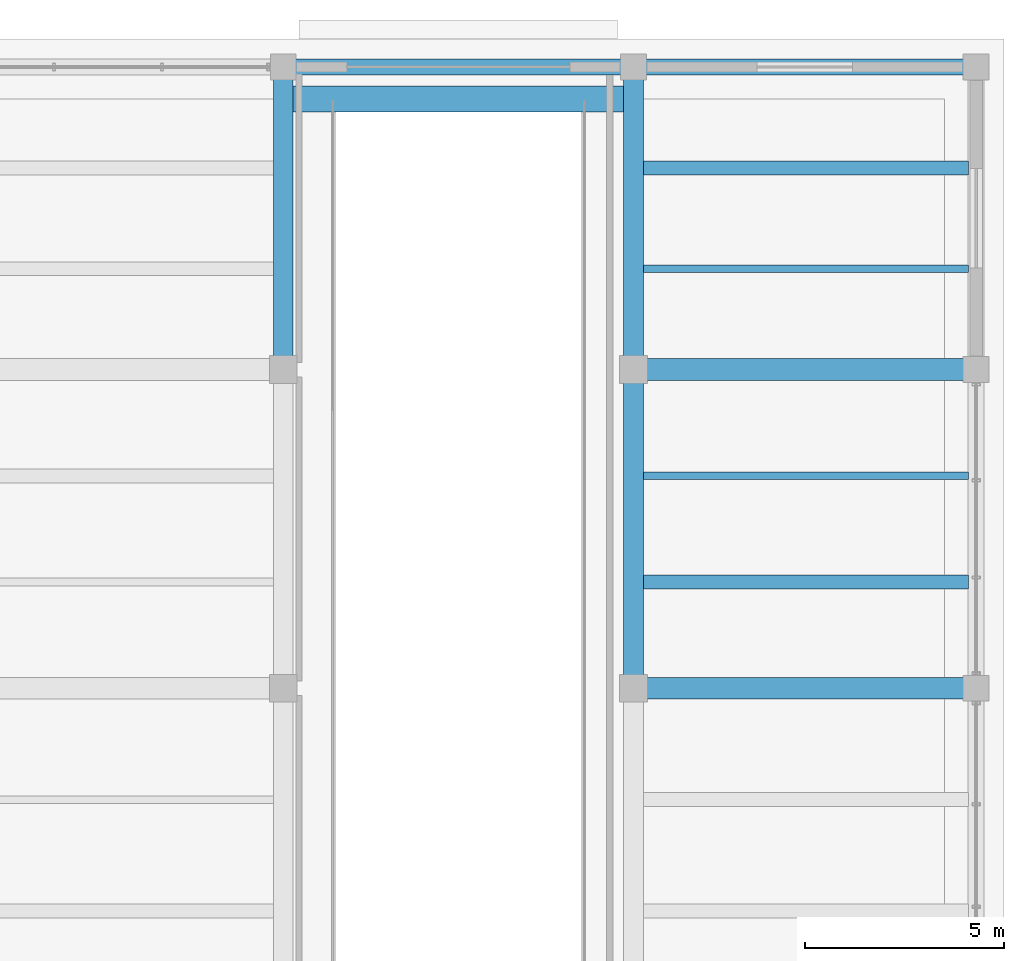
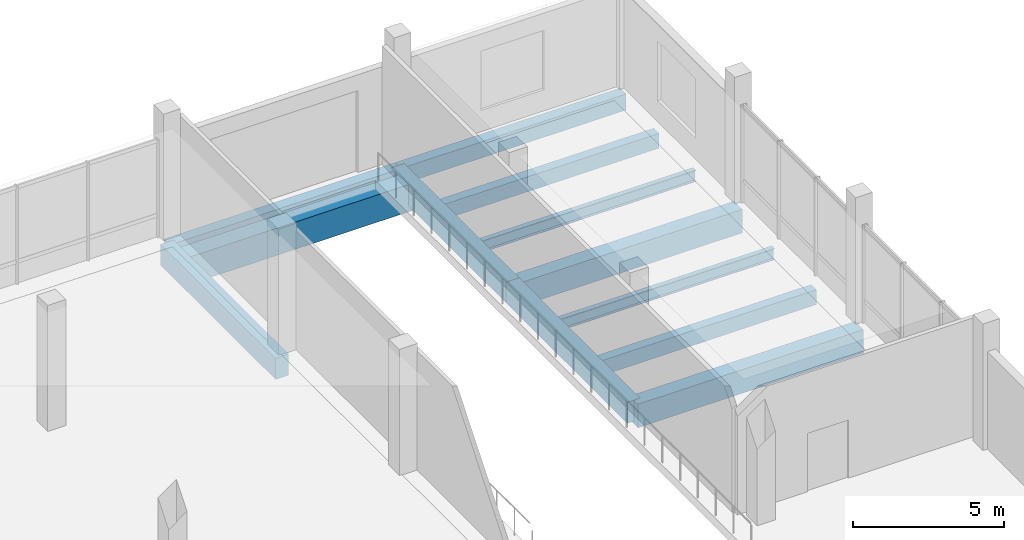
# One storey, part 52 of 73: 12 beams.
"""IFC4 building model written with IfcOpenShell, lengths in metres."""

from ifc_helpers import new_model, si_unit, direction, frame, origin, origin_2d, place, context, subcontext, project, spatial, rectangle, i_section, extrude, material, material_profile, profile_set, type_object, element, save


model = new_model("IFC4")

# Units and contexts
model_context = context("Model", 3, precision=1e-05, world=origin(), true_north=direction((0.0, 1.0)))
body_context = subcontext(model_context, "Body", "Model", "MODEL_VIEW")
ifc_project = project(units=[si_unit("LENGTHUNIT", "METRE"), si_unit("AREAUNIT", "SQUARE_METRE"), si_unit("VOLUMEUNIT", "CUBIC_METRE"), si_unit("PLANEANGLEUNIT", "RADIAN"), si_unit("MASSUNIT", "GRAM", prefix="KILO")], contexts=[model_context])

# Site, building, storey
site_placement = place(None, origin())
site = spatial("IfcSite", under=ifc_project, at=site_placement, CompositionType="ELEMENT")
building_placement = place(site_placement, origin())
building = spatial("IfcBuilding", under=site, at=building_placement, Name="Meriwether Solvik Hall", CompositionType="ELEMENT")
storey_placement = place(building_placement, origin())
storey = spatial("IfcBuildingStorey", under=building, at=storey_placement, Name="L00", CompositionType="ELEMENT", Elevation=0.0)

# Beams
ifc_material_1 = material(Name="Concrete C40/50", Category="concrete")
ifc_material_profile_1 = material_profile(ifc_material_1, rectangle(XDim=0.35009765625, YDim=0.60009765625, at=origin_2d()), Name="RCB-350X600")
ifc_profile_set_1 = profile_set([ifc_material_profile_1], Name="Concrete C40/50")
beam_type_1 = type_object("IfcBeamType", Name="BM-RC-350X600", PredefinedType="JOIST", material=ifc_profile_set_1)
for number, where, z_axis, x_axis, name in (
    (1, (158.445068359375, 103.86669921875, -0.659912109375), (1.0, 0.0, 0.0), (0.0, 1.0, 0.0), "Secondary Floor Joist 18/L_J1 (L00)"),
    (2, (158.445068359375, 114.2666015625, -0.659912109375), (1.0, 0.0, 0.0), (0.0, 1.0, 0.0), "Secondary Floor Joist 18/M_J2 (L00)"),
):
    element("IfcBeam", number, at=place(storey_placement, frame(where, z_axis=z_axis, x_axis=x_axis)), inside=storey, type_object=beam_type_1, Name=name, PredefinedType="JOIST", context=body_context, shape_type="SweptSolid", body=[
        extrude(rectangle(XDim=0.35009765625, YDim=0.60009765625, at=origin_2d()), origin(), (0.0, 0.0, 1.0), 8.159912109375),
    ])
ifc_material_2 = material(Name="Concrete C40/50", Category="concrete")
ifc_material_profile_2 = material_profile(ifc_material_2, rectangle(XDim=0.39990234375, YDim=0.64990234375, at=origin_2d()), Name="RCB-400X650")
ifc_profile_set_2 = profile_set([ifc_material_profile_2], Name="Concrete C40/50")
beam_type_2 = type_object("IfcBeamType", Name="BM-RC-400X650", PredefinedType="SPANDREL", material=ifc_profile_set_2)
beam_1_placement = place(storey_placement, frame((149.39990234375, 116.800048828125, -0.68505859375), z_axis=(1.0, 0.0, 0.0), x_axis=(0.0, 1.0, 0.0)))
element("IfcBeam", 3, at=beam_1_placement, inside=storey, type_object=beam_type_2, Name="Podium Girder N:17-18 (L00)", PredefinedType="SPANDREL", context=body_context, shape_type="SweptSolid", body=[
    extrude(rectangle(XDim=0.39990234375, YDim=0.64990234375, at=origin_2d()), origin(), (0.0, 0.0, 1.0), 8.800048828125),
])
beam_2_placement = place(storey_placement, frame((158.199951171875, 116.800048828125, -0.68505859375), z_axis=(1.0, 0.0, 0.0), x_axis=(0.0, 1.0, 0.0)))
element("IfcBeam", 4, at=beam_2_placement, inside=storey, type_object=beam_type_2, Name="Podium Girder N:18-19 (L00)", PredefinedType="SPANDREL", context=body_context, shape_type="SweptSolid", body=[
    extrude(rectangle(XDim=0.39990234375, YDim=0.64990234375, at=origin_2d()), origin(), (0.0, 0.0, 1.0), 8.60009765625),
])
ifc_material_3 = material(Name="Concrete C40/50", Category="concrete")
ifc_material_profile_3 = material_profile(ifc_material_3, rectangle(XDim=0.5, YDim=0.85009765625, at=origin_2d()), Name="RCB-500X850")
ifc_profile_set_3 = profile_set([ifc_material_profile_3], Name="Concrete C40/50")
beam_type_3 = type_object("IfcBeamType", Name="BM-RC-500X850", PredefinedType="BEAM", material=ifc_profile_set_3)
beam_3_placement = place(storey_placement, frame((149.39990234375, 109.199951171875, -0.784912109375), z_axis=(0.0, 1.0, 0.0), x_axis=(-1.0, 0.0, 0.0)))
element("IfcBeam", 5, at=beam_3_placement, inside=storey, type_object=beam_type_3, Name="Podium Girder 17:M-N (L00)", PredefinedType="BEAM", context=body_context, shape_type="SweptSolid", body=[
    extrude(rectangle(XDim=0.5, YDim=0.85009765625, at=origin_2d()), origin(), (0.0, 0.0, 1.0), 7.60009765625),
])
beam_4_placement = place(storey_placement, frame((158.199951171875, 101.199951171875, -0.784912109375), z_axis=(0.0, 1.0, 0.0), x_axis=(-1.0, 0.0, 0.0)))
element("IfcBeam", 6, at=beam_4_placement, inside=storey, type_object=beam_type_3, Name="Podium Girder 18:L-M (L00)", PredefinedType="BEAM", context=body_context, shape_type="SweptSolid", body=[
    extrude(rectangle(XDim=0.5, YDim=0.85009765625, at=origin_2d()), origin(), (0.0, 0.0, 1.0), 8.0),
])
beam_5_placement = place(storey_placement, frame((158.199951171875, 109.199951171875, -0.784912109375), z_axis=(0.0, 1.0, 0.0), x_axis=(-1.0, 0.0, 0.0)))
element("IfcBeam", 7, at=beam_5_placement, inside=storey, type_object=beam_type_3, Name="Podium Girder 18:M-N (L00)", PredefinedType="BEAM", context=body_context, shape_type="SweptSolid", body=[
    extrude(rectangle(XDim=0.5, YDim=0.85009765625, at=origin_2d()), origin(), (0.0, 0.0, 1.0), 7.60009765625),
])
ifc_material_4 = material(Name="Concrete C40/50", Category="concrete")
ifc_material_profile_4 = material_profile(ifc_material_4, rectangle(XDim=0.550048828125, YDim=0.949951171875, at=origin_2d()), Name="RCB-550X950")
ifc_profile_set_4 = profile_set([ifc_material_profile_4], Name="Concrete C40/50")
beam_type_4 = type_object("IfcBeamType", Name="BM-RC-550X950", PredefinedType="BEAM", material=ifc_profile_set_4)
for number, where, z_axis, x_axis, name in (
    (8, (158.199951171875, 101.199951171875, -0.8349609375), (1.0, 0.0, 0.0), (0.0, 1.0, 0.0), "Podium Girder L:18-19 (L00)"),
    (9, (158.199951171875, 109.199951171875, -0.8349609375), (1.0, 0.0, 0.0), (0.0, 1.0, 0.0), "Podium Girder M:18-19 (L00)"),
):
    element("IfcBeam", number, at=place(storey_placement, frame(where, z_axis=z_axis, x_axis=x_axis)), inside=storey, type_object=beam_type_4, Name=name, PredefinedType="BEAM", context=body_context, shape_type="SweptSolid", body=[
        extrude(rectangle(XDim=0.550048828125, YDim=0.949951171875, at=origin_2d()), origin(), (0.0, 0.0, 1.0), 8.60009765625),
    ])
ifc_material_5 = material(Name="Concrete C40/50", Category="concrete")
ifc_material_profile_5 = material_profile(ifc_material_5, rectangle(XDim=0.64990234375, YDim=1.10009765625, at=origin_2d()), Name="RCB-650X1100")
ifc_profile_set_5 = profile_set([ifc_material_profile_5], Name="Concrete C40/50")
beam_type_5 = type_object("IfcBeamType", Name="BM-RMP-RC-650X1100", PredefinedType="BEAM", material=ifc_profile_set_5)
beam_6_placement = place(storey_placement, frame((149.39990234375, 116.0, -0.909912109375), z_axis=(1.0, 0.0, 0.0), x_axis=(0.0, 1.0, 0.0)))
element("IfcBeam", 10, at=beam_6_placement, inside=storey, type_object=beam_type_5, Name="Vehicle Ramp Header Girder (L00)", PredefinedType="BEAM", context=body_context, shape_type="SweptSolid", body=[
    extrude(rectangle(XDim=0.64990234375, YDim=1.10009765625, at=origin_2d()), origin(), (0.0, 0.0, 1.0), 8.800048828125),
])
ifc_material_6 = material(Name="Steel A992 Grade 50", Category="steel")
ifc_material_profile_6 = material_profile(ifc_material_6, i_section(OverallWidth=0.19091796875, OverallDepth=0.45703125, WebThickness=0.009033203125, FlangeThickness=0.014404296875, at=origin_2d()), Name="W18X50")
ifc_profile_set_6 = profile_set([ifc_material_profile_6], Name="Steel A992 Grade 50")
beam_type_6 = type_object("IfcBeamType", Name="BM-STL-W18X50", PredefinedType="JOIST", material=ifc_profile_set_6)
for number, where, z_axis, x_axis, name in (
    (11, (158.445068359375, 106.533203125, -0.58837890625), (1.0, 0.0, 0.0), (0.0, 1.0, 0.0), "Secondary Floor Joist 18/L_J2 (L00)"),
    (12, (158.445068359375, 111.7333984375, -0.58837890625), (1.0, 0.0, 0.0), (0.0, 1.0, 0.0), "Secondary Floor Joist 18/M_J1 (L00)"),
):
    element("IfcBeam", number, at=place(storey_placement, frame(where, z_axis=z_axis, x_axis=x_axis)), inside=storey, type_object=beam_type_6, Name=name, PredefinedType="JOIST", context=body_context, shape_type="SweptSolid", body=[
        extrude(i_section(OverallWidth=0.19091796875, OverallDepth=0.45703125, WebThickness=0.009033203125, FlangeThickness=0.014404296875, at=origin_2d()), origin(), (0.0, 0.0, 1.0), 8.159912109375),
    ])

save(model, "model.ifc")
